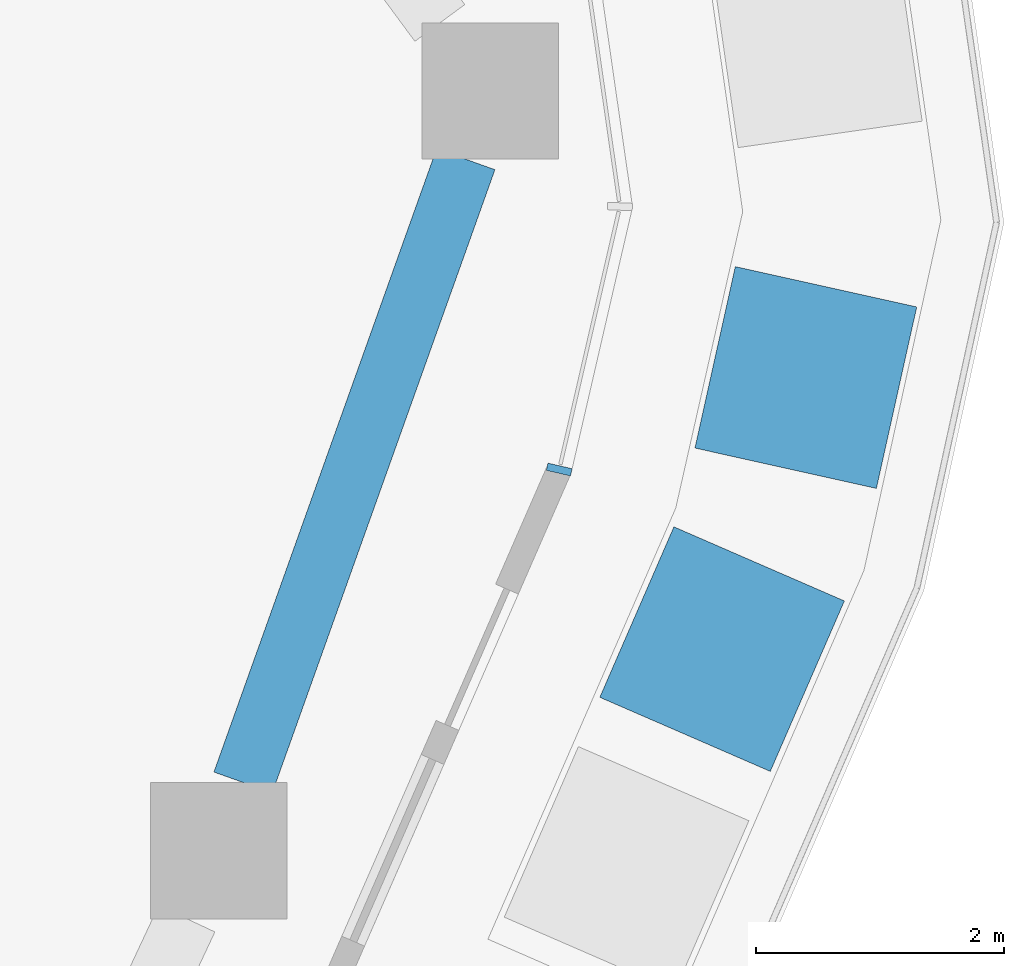
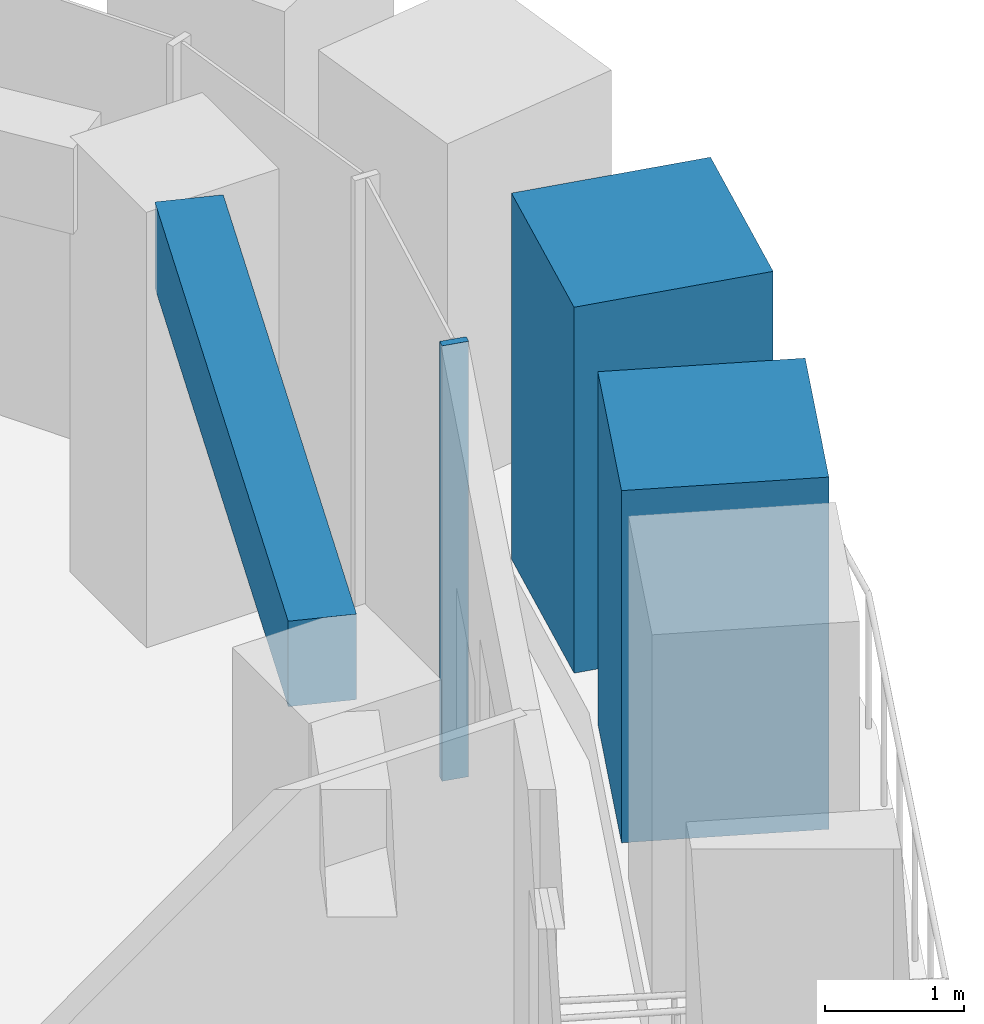
# One storey, part 5 of 20: 3 members, 1 beam, 1 element without a shape of its own.
"""IFC4 building model written with IfcOpenShell, lengths in metres."""

from ifc_helpers import new_model, si_unit, direction, frame, origin, origin_2d, place, context, subcontext, project, spatial, rectangle, extrude, material, layer, layer_set, material_profile, profile_set, type_object, element, aggregate, save


model = new_model("IFC4")

# Units and contexts
model_context = context("Model", 3, precision=1e-05, world=origin(), true_north=direction((0.0, 1.0)))
body_context = subcontext(model_context, "Body", "Model", "MODEL_VIEW")
ifc_project = project(units=[si_unit("LENGTHUNIT", "METRE"), si_unit("AREAUNIT", "SQUARE_METRE"), si_unit("VOLUMEUNIT", "CUBIC_METRE"), si_unit("PLANEANGLEUNIT", "RADIAN"), si_unit("MASSUNIT", "GRAM", prefix="KILO")], contexts=[model_context])

# Site, building, storey
site_placement = place(None, origin())
site = spatial("IfcSite", under=ifc_project, at=site_placement, CompositionType="ELEMENT")
building_placement = place(site_placement, origin())
building = spatial("IfcBuilding", under=site, at=building_placement, Name="Dongbaek Canopy Tower", CompositionType="ELEMENT")
storey_placement = place(building_placement, frame((0.0, 0.0, 245.39990234375)))
storey = spatial("IfcBuildingStorey", under=building, at=storey_placement, Name="L51", CompositionType="ELEMENT", Elevation=245.39990234375)

# Curtain wall, member
ifc_material_1 = material(Name="Aluminium 6063-T6 pale anodised", Category="aluminium")
ifc_layer = layer(ifc_material_1, 0.199951171875)
ifc_layer_set = layer_set([ifc_layer], Name="CW-1 unitised tower curtain wall")
curtain_wall_type = type_object("IfcCurtainWallType", Name="CW-1 unitised tower curtain wall", PredefinedType="NOTDEFINED", material=ifc_layer_set)
curtain_wall_placement = place(storey_placement, origin())
curtain_wall = element("IfcCurtainWall", 1, at=curtain_wall_placement, inside=storey, type_object=curtain_wall_type, Name="CW-1 curtain wall K0.1", PredefinedType="NOTDEFINED")
ifc_material_2 = material(Name="Aluminium 6063-T6 pale anodised", Category="aluminium")
ifc_material_profile_1 = material_profile(ifc_material_2, rectangle(XDim=0.199951171875, YDim=0.06005859375, at=origin_2d()), Name="CW-1 mullion 60 x 200")
ifc_profile_set_1 = profile_set([ifc_material_profile_1], Name="Aluminium 6063-T6 pale anodised")
member_type_1 = type_object("IfcMemberType", Name="CW-1 mullion 60 x 200", PredefinedType="MULLION", material=ifc_profile_set_1)
member_1_placement = place(storey_placement, frame((28.04931640625, 2.92333984375, 0.0), z_axis=(0.0, 0.0, 1.0), x_axis=(0.974361728363, -0.224987160304, 0.0)))
member_1 = element("IfcMember", 2, at=member_1_placement, type_object=member_type_1, Name="CW-1 mullion K0.1.1", PredefinedType="MULLION", context=body_context, shape_type="SweptSolid", body=[
    extrude(rectangle(XDim=0.199951171875, YDim=0.06005859375, at=origin_2d()), origin(), (0.0, 0.0, 1.0), 3.820068359375),
])
aggregate(curtain_wall, [member_1])

# Beam
ifc_material_3 = material(Name="Concrete C70", Category="concrete")
ifc_material_profile_2 = material_profile(ifc_material_3, rectangle(XDim=0.5, YDim=0.75, at=origin_2d()), Name="RC EDGE BEAM 500x750 C70")
ifc_profile_set_2 = profile_set([ifc_material_profile_2], Name="Concrete C70")
beam_type = type_object("IfcBeamType", Name="RC EDGE BEAM 500x750 C70", PredefinedType="BEAM", material=ifc_profile_set_2)
beam_placement = place(storey_placement, frame((27.29541015625, 5.427001953125, 3.445068359375), z_axis=(-0.336466714227, -0.94169535956, 0.0), x_axis=(0.94169535956, -0.336466714227, 0.0)))
element("IfcBeam", 3, at=beam_placement, inside=storey, type_object=beam_type, Name="EDGEBEAM:L51:21", PredefinedType="BEAM", context=body_context, shape_type="SweptSolid", body=[
    extrude(rectangle(XDim=0.5, YDim=0.75, at=origin_2d()), origin(), (0.0, 0.0, 1.0), 5.34033203125),
])

# Members
ifc_material_4 = material(Name="Concrete C40/50 planter mass with planting", Category="concrete")
ifc_material_profile_3 = material_profile(ifc_material_4, rectangle(XDim=1.5, YDim=1.5, at=origin_2d()), Name="Terrace PLANTER shrub mass 1500 x 1500")
ifc_profile_set_3 = profile_set([ifc_material_profile_3], Name="Concrete C40/50 planter mass with planting")
member_type_2 = type_object("IfcMemberType", Name="Terrace PLANTER shrub mass 1500 x 1500", PredefinedType="USERDEFINED", material=ifc_profile_set_3)
member_2_placement = place(storey_placement, frame((29.36376953125, 1.47412109375, 0.420166015625), z_axis=(0.0, 0.0, 1.0), x_axis=(0.917131470952, -0.398584827846, 0.0)))
element("IfcMember", 4, at=member_2_placement, inside=storey, type_object=member_type_2, Name="Planter shrubs L51 6.2", ObjectType="PLANTER", PredefinedType="USERDEFINED", context=body_context, shape_type="SweptSolid", body=[
    extrude(rectangle(XDim=1.5, YDim=1.5, at=origin_2d()), origin(), (0.0, 0.0, 1.0), 3.08984375),
])
member_3_placement = place(storey_placement, frame((30.03955078125, 3.665771484375, 0.420166015625), z_axis=(0.0, 0.0, 1.0), x_axis=(0.976147244167, -0.217109552313, 0.0)))
element("IfcMember", 5, at=member_3_placement, inside=storey, type_object=member_type_2, Name="Planter shrubs L51 6.3", ObjectType="PLANTER", PredefinedType="USERDEFINED", context=body_context, shape_type="SweptSolid", body=[
    extrude(rectangle(XDim=1.5, YDim=1.5, at=origin_2d()), origin(), (0.0, 0.0, 1.0), 3.2099609375),
])

save(model, "model.ifc")
